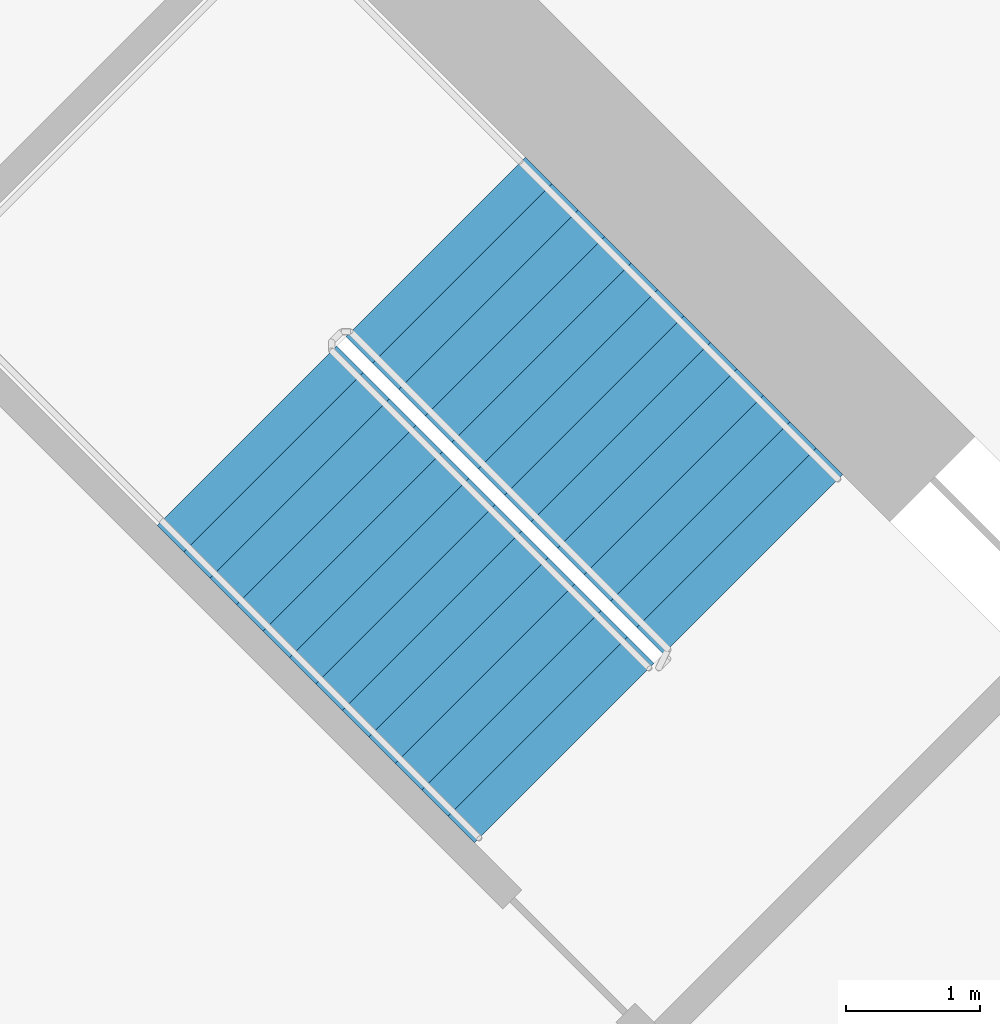
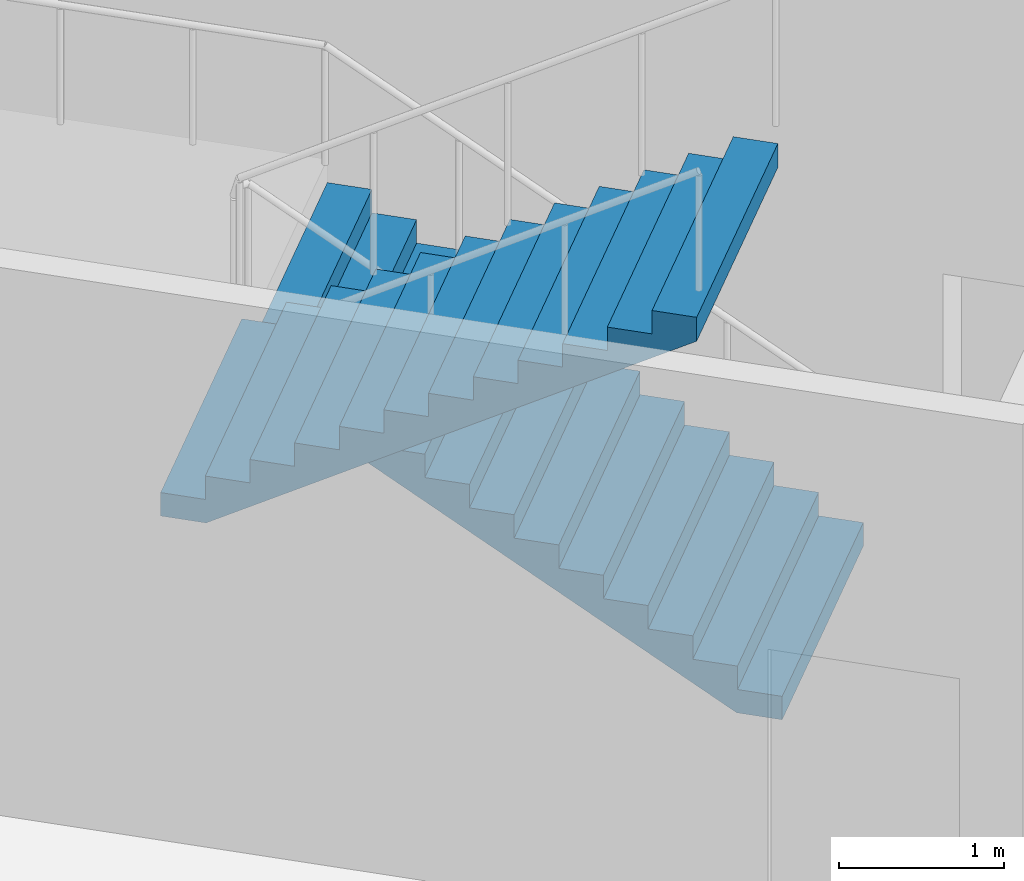
# One storey, part 14 of 21: 2 stair flights, 1 element without a shape of its own.
"""IFC4 building model written with IfcOpenShell, lengths in metres."""

from ifc_helpers import new_model, si_unit, direction, frame, origin, place, context, subcontext, project, spatial, triangles, material, type_object, element, aggregate, save


model = new_model("IFC4")

# Units and contexts
model_context = context("Model", 3, precision=1e-05, world=origin(), true_north=direction((0.0, 1.0)))
body_context = subcontext(model_context, "Body", "Model", "MODEL_VIEW")
ifc_project = project(units=[si_unit("LENGTHUNIT", "METRE"), si_unit("AREAUNIT", "SQUARE_METRE"), si_unit("VOLUMEUNIT", "CUBIC_METRE"), si_unit("PLANEANGLEUNIT", "RADIAN"), si_unit("MASSUNIT", "GRAM", prefix="KILO")], contexts=[model_context])

# Site, building, storey
site_placement = place(None, origin())
site = spatial("IfcSite", under=ifc_project, at=site_placement, CompositionType="ELEMENT")
building_placement = place(site_placement, origin())
building = spatial("IfcBuilding", under=site, at=building_placement, Name="Verdalira Terraces Hotel", CompositionType="ELEMENT")
storey_placement = place(building_placement, frame((0.0, 0.0, 19.0)))
storey = spatial("IfcBuildingStorey", under=building, at=storey_placement, Name="L03", CompositionType="ELEMENT", Elevation=19.0)

# Stair, stair flights
ifc_material_1 = material(Name="Concrete C40", Category="concrete")
stair_type = type_object("IfcStairType", Name="Core stair 26 risers 1900 mm wide", PredefinedType="HALF_TURN_STAIR", material=ifc_material_1)
stair_placement = place(storey_placement, origin())
stair = element("IfcStair", 1, at=stair_placement, inside=storey, type_object=stair_type, Name="L03 Exit stair ST1", PredefinedType="HALF_TURN_STAIR")
ifc_material_2 = material(Name="Concrete C40", Category="concrete")
stair_flight_type = type_object("IfcStairFlightType", Name="Core stair flight 26 risers 1900 mm wide", PredefinedType="STRAIGHT", material=ifc_material_2)
stair_flight_1_placement = place(storey_placement, frame((10.005615, 7.177246, 0.0), z_axis=(0.0, 0.0, 1.0), x_axis=(-0.707106781, 0.707106781, 0.0)))
stair_flight_1 = element("IfcStairFlight", 2, at=stair_flight_1_placement, type_object=stair_flight_type, Name="ST1 flight 1", NumberOfRisers=13, NumberOfTreads=12, PredefinedType="STRAIGHT", RiserHeight=0.173076923, TreadLength=0.28, context=body_context, shape_type="Tessellation", body=[
    triangles([(0.0, 0.949951, 0.0), (0.285156, 0.949951, 0.0), (3.360107, 0.949951, 1.900635), (0.0, -0.949951, 0.0), (0.285156, -0.949951, 0.0), (3.360107, -0.949951, 1.900635), (3.360107, 0.949951, 2.076904), (3.080078, 0.949951, 2.076904), (3.360107, -0.949951, 2.076904), (3.080078, -0.949951, 2.076904), (3.080078, 0.949951, 1.903809), (3.080078, -0.949951, 1.903809), (2.800049, 0.949951, 1.903809), (2.800049, -0.949951, 1.903809), (2.800049, 0.949951, 1.730713), (2.800049, -0.949951, 1.730713), (2.52002, 0.949951, 1.730713), (2.52002, 0.949951, 1.557617), (2.52002, -0.949951, 1.730713), (2.52002, -0.949951, 1.557617), (2.23999, 0.949951, 1.557617), (2.23999, 0.949951, 1.384521), (2.23999, -0.949951, 1.557617), (2.23999, -0.949951, 1.384521), (1.959961, 0.949951, 1.384521), (1.959961, 0.949951, 1.211426), (1.959961, -0.949951, 1.384521), (1.959961, -0.949951, 1.211426), (1.679932, 0.949951, 1.211426), (1.679932, 0.949951, 1.038574), (1.679932, -0.949951, 1.211426), (1.679932, -0.949951, 1.038574), (1.399902, 0.949951, 1.038574), (1.399902, 0.949951, 0.865479), (1.399902, -0.949951, 1.038574), (1.399902, -0.949951, 0.865479), (1.120117, 0.949951, 0.865479), (1.120117, 0.949951, 0.692383), (1.120117, -0.949951, 0.865479), (1.120117, -0.949951, 0.692383), (0.840088, 0.949951, 0.692383), (0.840088, 0.949951, 0.519287), (0.840088, -0.949951, 0.692383), (0.840088, -0.949951, 0.519287), (0.560059, 0.949951, 0.519287), (0.560059, 0.949951, 0.346191), (0.560059, -0.949951, 0.519287), (0.560059, -0.949951, 0.346191), (0.280029, 0.949951, 0.346191), (0.280029, 0.949951, 0.173096), (0.280029, -0.949951, 0.346191), (0.280029, -0.949951, 0.173096), (0.0, 0.949951, 0.173096), (0.0, -0.949951, 0.173096), (0.0, -0.890579, 0.0), (0.0, -0.890579, 0.173096), (0.0, -0.831207, 0.0), (0.0, -0.831207, 0.173096), (0.0, -0.771835, 0.0), (0.0, -0.771835, 0.173096), (0.0, -0.712463, 0.0), (0.0, -0.712463, 0.173096), (0.0, -0.653091, 0.0), (0.0, -0.653091, 0.173096), (0.0, -0.593719, 0.0), (0.0, -0.593719, 0.173096), (0.0, -0.534348, 0.0), (0.0, -0.534348, 0.173096), (0.0, -0.474976, 0.0), (0.0, -0.474976, 0.173096), (0.0, -0.415604, 0.0), (0.0, -0.415604, 0.173096), (0.0, -0.356232, 0.0), (0.0, -0.356232, 0.173096), (0.0, -0.29686, 0.0), (0.0, -0.29686, 0.173096), (0.0, -0.237488, 0.0), (0.0, -0.237488, 0.173096), (0.0, -0.178116, 0.0), (0.0, -0.178116, 0.173096), (0.0, -0.118744, 0.0), (0.0, -0.118744, 0.173096), (0.0, -0.059372, 0.0), (0.0, -0.059372, 0.173096), (0.0, 0.0, 0.0), (0.0, 0.0, 0.173096), (0.0, 0.059372, 0.0), (0.0, 0.059372, 0.173096), (0.0, 0.118744, 0.0), (0.0, 0.118744, 0.173096), (0.0, 0.178116, 0.0), (0.0, 0.178116, 0.173096), (0.0, 0.237488, 0.0), (0.0, 0.237488, 0.173096), (0.0, 0.29686, 0.0), (0.0, 0.29686, 0.173096), (0.0, 0.356232, 0.0), (0.0, 0.356232, 0.173096), (0.0, 0.415604, 0.0), (0.0, 0.415604, 0.173096), (0.0, 0.474976, 0.0), (0.0, 0.474976, 0.173096), (0.0, 0.534348, 0.0), (0.0, 0.534348, 0.173096), (0.0, 0.593719, 0.0), (0.0, 0.593719, 0.173096), (0.0, 0.653091, 0.0), (0.0, 0.653091, 0.173096), (0.0, 0.712463, 0.0), (0.0, 0.712463, 0.173096), (0.0, 0.771835, 0.0), (0.0, 0.771835, 0.173096), (0.0, 0.831207, 0.0), (0.0, 0.831207, 0.173096), (0.0, 0.890579, 0.0), (0.0, 0.890579, 0.173096), (3.360107, -0.890579, 2.076904), (3.360107, -0.831207, 2.076904), (3.360107, -0.771835, 2.076904), (3.360107, -0.712463, 2.076904), (3.360107, -0.653091, 2.076904), (3.360107, -0.593719, 2.076904), (3.360107, -0.534348, 2.076904), (3.360107, -0.474976, 2.076904), (3.360107, -0.415604, 2.076904), (3.360107, -0.356232, 2.076904), (3.360107, -0.29686, 2.076904), (3.360107, -0.237488, 2.076904), (3.360107, -0.178116, 2.076904), (3.360107, -0.118744, 2.076904), (3.360107, -0.059372, 2.076904), (3.360107, 0.0, 2.076904), (3.360107, 0.059372, 2.076904), (3.360107, 0.118744, 2.076904), (3.360107, 0.178116, 2.076904), (3.360107, 0.237488, 2.076904), (3.360107, 0.29686, 2.076904), (3.360107, 0.356232, 2.076904), (3.360107, 0.415604, 2.076904), (3.360107, 0.474976, 2.076904), (3.360107, 0.534348, 2.076904), (3.360107, 0.593719, 2.076904), (3.360107, 0.653091, 2.076904), (3.360107, 0.712463, 2.076904), (3.360107, 0.771835, 2.076904), (3.360107, 0.831207, 2.076904), (3.360107, 0.890579, 2.076904), (3.360107, -0.890579, 1.900635), (3.360107, -0.831207, 1.900635), (3.360107, -0.771835, 1.900635), (3.360107, -0.712463, 1.900635), (3.360107, -0.653091, 1.900635), (3.360107, -0.593719, 1.900635), (3.360107, -0.534348, 1.900635), (3.360107, -0.474976, 1.900635), (3.360107, -0.415604, 1.900635), (3.360107, -0.356232, 1.900635), (3.360107, -0.29686, 1.900635), (3.360107, -0.237488, 1.900635), (3.360107, -0.178116, 1.900635), (3.360107, -0.118744, 1.900635), (3.360107, -0.059372, 1.900635), (3.360107, 0.0, 1.900635), (3.360107, 0.059372, 1.900635), (3.360107, 0.118744, 1.900635), (3.360107, 0.178116, 1.900635), (3.360107, 0.237488, 1.900635), (3.360107, 0.29686, 1.900635), (3.360107, 0.356232, 1.900635), (3.360107, 0.415604, 1.900635), (3.360107, 0.474976, 1.900635), (3.360107, 0.534348, 1.900635), (3.360107, 0.593719, 1.900635), (3.360107, 0.653091, 1.900635), (3.360107, 0.712463, 1.900635), (3.360107, 0.771835, 1.900635), (3.360107, 0.831207, 1.900635), (3.360107, 0.890579, 1.900635)], [[1, 3, 2], [4, 5, 6], [3, 8, 7], [6, 9, 10], [3, 11, 8], [6, 10, 12], [3, 13, 11], [6, 12, 14], [3, 15, 13], [6, 14, 16], [15, 18, 17], [16, 19, 20], [3, 18, 15], [6, 16, 20], [18, 22, 21], [20, 23, 24], [3, 22, 18], [6, 20, 24], [22, 26, 25], [24, 27, 28], [3, 26, 22], [6, 24, 28], [1, 26, 3], [4, 6, 28], [26, 30, 29], [28, 31, 32], [30, 34, 33], [32, 35, 36], [26, 34, 30], [28, 32, 36], [34, 38, 37], [36, 39, 40], [26, 38, 34], [28, 36, 40], [38, 42, 41], [40, 43, 44], [26, 42, 38], [28, 40, 44], [42, 46, 45], [44, 47, 48], [26, 46, 42], [28, 44, 48], [46, 50, 49], [48, 51, 52], [26, 50, 46], [28, 48, 52], [1, 50, 26], [4, 28, 52], [50, 1, 53], [52, 54, 4], [4, 56, 55], [4, 54, 56], [55, 58, 57], [55, 56, 58], [57, 60, 59], [57, 58, 60], [59, 62, 61], [59, 60, 62], [61, 64, 63], [61, 62, 64], [63, 66, 65], [63, 64, 66], [65, 68, 67], [65, 66, 68], [67, 70, 69], [67, 68, 70], [69, 72, 71], [69, 70, 72], [71, 74, 73], [71, 72, 74], [73, 76, 75], [73, 74, 76], [75, 78, 77], [75, 76, 78], [77, 80, 79], [77, 78, 80], [79, 82, 81], [79, 80, 82], [81, 84, 83], [81, 82, 84], [83, 86, 85], [83, 84, 86], [85, 88, 87], [85, 86, 88], [87, 90, 89], [87, 88, 90], [89, 92, 91], [89, 90, 92], [91, 94, 93], [91, 92, 94], [93, 96, 95], [93, 94, 96], [95, 98, 97], [95, 96, 98], [97, 100, 99], [97, 98, 100], [99, 102, 101], [99, 100, 102], [101, 104, 103], [101, 102, 104], [103, 106, 105], [103, 104, 106], [105, 108, 107], [105, 106, 108], [107, 110, 109], [107, 108, 110], [109, 112, 111], [109, 110, 112], [111, 114, 113], [111, 112, 114], [113, 116, 115], [113, 114, 116], [115, 53, 1], [115, 116, 53], [54, 52, 56], [56, 52, 58], [58, 52, 60], [60, 52, 62], [62, 52, 64], [64, 52, 66], [66, 52, 68], [68, 52, 70], [70, 52, 72], [72, 52, 74], [74, 52, 76], [76, 52, 78], [78, 52, 80], [80, 52, 82], [82, 52, 84], [84, 52, 86], [86, 52, 88], [88, 52, 90], [90, 52, 92], [92, 52, 94], [94, 52, 96], [96, 52, 98], [98, 52, 100], [100, 52, 102], [102, 52, 104], [104, 52, 106], [106, 52, 108], [108, 52, 110], [110, 52, 112], [112, 52, 114], [114, 52, 116], [116, 52, 53], [53, 52, 50], [52, 49, 50], [52, 51, 49], [51, 46, 49], [51, 48, 46], [48, 45, 46], [48, 47, 45], [47, 42, 45], [47, 44, 42], [44, 41, 42], [44, 43, 41], [43, 38, 41], [43, 40, 38], [40, 37, 38], [40, 39, 37], [39, 34, 37], [39, 36, 34], [36, 33, 34], [36, 35, 33], [35, 30, 33], [35, 32, 30], [32, 29, 30], [32, 31, 29], [31, 26, 29], [31, 28, 26], [28, 25, 26], [28, 27, 25], [27, 22, 25], [27, 24, 22], [24, 21, 22], [24, 23, 21], [23, 18, 21], [23, 20, 18], [20, 17, 18], [20, 19, 17], [19, 15, 17], [19, 16, 15], [16, 13, 15], [16, 14, 13], [14, 11, 13], [14, 12, 11], [12, 8, 11], [12, 10, 8], [9, 117, 10], [117, 118, 10], [118, 119, 10], [119, 120, 10], [120, 121, 10], [121, 122, 10], [122, 123, 10], [123, 124, 10], [124, 125, 10], [125, 126, 10], [126, 127, 10], [127, 128, 10], [128, 129, 10], [129, 130, 10], [130, 131, 10], [131, 132, 10], [132, 133, 10], [133, 134, 10], [134, 135, 10], [135, 136, 10], [136, 137, 10], [137, 138, 10], [138, 139, 10], [139, 140, 10], [140, 141, 10], [141, 142, 10], [142, 143, 10], [143, 144, 10], [144, 145, 10], [145, 146, 10], [146, 147, 10], [147, 7, 10], [7, 8, 10], [9, 148, 117], [9, 6, 148], [117, 149, 118], [117, 148, 149], [118, 150, 119], [118, 149, 150], [119, 151, 120], [119, 150, 151], [120, 152, 121], [120, 151, 152], [121, 153, 122], [121, 152, 153], [122, 154, 123], [122, 153, 154], [123, 155, 124], [123, 154, 155], [124, 156, 125], [124, 155, 156], [125, 157, 126], [125, 156, 157], [126, 158, 127], [126, 157, 158], [127, 159, 128], [127, 158, 159], [128, 160, 129], [128, 159, 160], [129, 161, 130], [129, 160, 161], [130, 162, 131], [130, 161, 162], [131, 163, 132], [131, 162, 163], [132, 164, 133], [132, 163, 164], [133, 165, 134], [133, 164, 165], [134, 166, 135], [134, 165, 166], [135, 167, 136], [135, 166, 167], [136, 168, 137], [136, 167, 168], [137, 169, 138], [137, 168, 169], [138, 170, 139], [138, 169, 170], [139, 171, 140], [139, 170, 171], [140, 172, 141], [140, 171, 172], [141, 173, 142], [141, 172, 173], [142, 174, 143], [142, 173, 174], [143, 175, 144], [143, 174, 175], [144, 176, 145], [144, 175, 176], [145, 177, 146], [145, 176, 177], [146, 178, 147], [146, 177, 178], [147, 3, 7], [147, 178, 3], [6, 5, 148], [148, 5, 149], [149, 5, 150], [150, 5, 151], [151, 5, 152], [152, 5, 153], [153, 5, 154], [154, 5, 155], [155, 5, 156], [156, 5, 157], [157, 5, 158], [158, 5, 159], [159, 5, 160], [160, 5, 161], [161, 5, 162], [162, 5, 163], [163, 5, 164], [164, 5, 165], [165, 5, 166], [166, 5, 167], [167, 5, 168], [168, 5, 169], [169, 5, 170], [170, 5, 171], [171, 5, 172], [172, 5, 173], [173, 5, 174], [174, 5, 175], [175, 5, 176], [176, 5, 177], [177, 5, 178], [178, 5, 3], [3, 5, 2], [4, 55, 5], [55, 57, 5], [57, 59, 5], [59, 61, 5], [61, 63, 5], [63, 65, 5], [65, 67, 5], [67, 69, 5], [69, 71, 5], [71, 73, 5], [73, 75, 5], [75, 77, 5], [77, 79, 5], [79, 81, 5], [81, 83, 5], [83, 85, 5], [85, 87, 5], [87, 89, 5], [89, 91, 5], [91, 93, 5], [93, 95, 5], [95, 97, 5], [97, 99, 5], [99, 101, 5], [101, 103, 5], [103, 105, 5], [105, 107, 5], [107, 109, 5], [109, 111, 5], [111, 113, 5], [113, 115, 5], [115, 1, 5], [1, 2, 5]], closed=True),
])
stair_flight_2_placement = place(storey_placement, frame((6.215576, 8.138916, 2.25), z_axis=(0.0, 0.0, 1.0), x_axis=(0.707106781, -0.707106781, 0.0)))
stair_flight_2 = element("IfcStairFlight", 3, at=stair_flight_2_placement, type_object=stair_flight_type, Name="ST1 flight 2", NumberOfRisers=13, NumberOfTreads=12, PredefinedType="STRAIGHT", RiserHeight=0.173076923, TreadLength=0.28, context=body_context, shape_type="Tessellation", body=[
    triangles([(0.0, 0.949951, 0.0), (0.285156, 0.949951, 0.0), (3.360107, 0.949951, 1.900635), (0.0, -0.949951, 0.0), (0.285156, -0.949951, 0.0), (3.360107, -0.949951, 1.900635), (3.360107, 0.949951, 2.076904), (3.080078, 0.949951, 2.076904), (3.360107, -0.949951, 2.076904), (3.080078, -0.949951, 2.076904), (3.080078, 0.949951, 1.903809), (3.080078, -0.949951, 1.903809), (2.800049, 0.949951, 1.903809), (2.800049, -0.949951, 1.903809), (2.800049, 0.949951, 1.730713), (2.800049, -0.949951, 1.730713), (2.52002, 0.949951, 1.730713), (2.52002, 0.949951, 1.557617), (2.52002, -0.949951, 1.730713), (2.52002, -0.949951, 1.557617), (2.23999, 0.949951, 1.557617), (2.23999, 0.949951, 1.384521), (2.23999, -0.949951, 1.557617), (2.23999, -0.949951, 1.384521), (1.959961, 0.949951, 1.384521), (1.959961, 0.949951, 1.211426), (1.959961, -0.949951, 1.384521), (1.959961, -0.949951, 1.211426), (1.679932, 0.949951, 1.211426), (1.679932, 0.949951, 1.038574), (1.679932, -0.949951, 1.211426), (1.679932, -0.949951, 1.038574), (1.399902, 0.949951, 1.038574), (1.399902, 0.949951, 0.865479), (1.399902, -0.949951, 1.038574), (1.399902, -0.949951, 0.865479), (1.120117, 0.949951, 0.865479), (1.120117, 0.949951, 0.692383), (1.120117, -0.949951, 0.865479), (1.120117, -0.949951, 0.692383), (0.840088, 0.949951, 0.692383), (0.840088, 0.949951, 0.519287), (0.840088, -0.949951, 0.692383), (0.840088, -0.949951, 0.519287), (0.560059, 0.949951, 0.519287), (0.560059, 0.949951, 0.346191), (0.560059, -0.949951, 0.519287), (0.560059, -0.949951, 0.346191), (0.280029, 0.949951, 0.346191), (0.280029, 0.949951, 0.173096), (0.280029, -0.949951, 0.346191), (0.280029, -0.949951, 0.173096), (0.0, 0.949951, 0.173096), (0.0, -0.949951, 0.173096), (0.0, -0.890579, 0.0), (0.0, -0.890579, 0.173096), (0.0, -0.831207, 0.0), (0.0, -0.831207, 0.173096), (0.0, -0.771835, 0.0), (0.0, -0.771835, 0.173096), (0.0, -0.712463, 0.0), (0.0, -0.712463, 0.173096), (0.0, -0.653091, 0.0), (0.0, -0.653091, 0.173096), (0.0, -0.593719, 0.0), (0.0, -0.593719, 0.173096), (0.0, -0.534348, 0.0), (0.0, -0.534348, 0.173096), (0.0, -0.474976, 0.0), (0.0, -0.474976, 0.173096), (0.0, -0.415604, 0.0), (0.0, -0.415604, 0.173096), (0.0, -0.356232, 0.0), (0.0, -0.356232, 0.173096), (0.0, -0.29686, 0.0), (0.0, -0.29686, 0.173096), (0.0, -0.237488, 0.0), (0.0, -0.237488, 0.173096), (0.0, -0.178116, 0.0), (0.0, -0.178116, 0.173096), (0.0, -0.118744, 0.0), (0.0, -0.118744, 0.173096), (0.0, -0.059372, 0.0), (0.0, -0.059372, 0.173096), (0.0, 0.0, 0.0), (0.0, 0.0, 0.173096), (0.0, 0.059372, 0.0), (0.0, 0.059372, 0.173096), (0.0, 0.118744, 0.0), (0.0, 0.118744, 0.173096), (0.0, 0.178116, 0.0), (0.0, 0.178116, 0.173096), (0.0, 0.237488, 0.0), (0.0, 0.237488, 0.173096), (0.0, 0.29686, 0.0), (0.0, 0.29686, 0.173096), (0.0, 0.356232, 0.0), (0.0, 0.356232, 0.173096), (0.0, 0.415604, 0.0), (0.0, 0.415604, 0.173096), (0.0, 0.474976, 0.0), (0.0, 0.474976, 0.173096), (0.0, 0.534348, 0.0), (0.0, 0.534348, 0.173096), (0.0, 0.593719, 0.0), (0.0, 0.593719, 0.173096), (0.0, 0.653091, 0.0), (0.0, 0.653091, 0.173096), (0.0, 0.712463, 0.0), (0.0, 0.712463, 0.173096), (0.0, 0.771835, 0.0), (0.0, 0.771835, 0.173096), (0.0, 0.831207, 0.0), (0.0, 0.831207, 0.173096), (0.0, 0.890579, 0.0), (0.0, 0.890579, 0.173096), (3.360107, -0.890579, 2.076904), (3.360107, -0.831207, 2.076904), (3.360107, -0.771835, 2.076904), (3.360107, -0.712463, 2.076904), (3.360107, -0.653091, 2.076904), (3.360107, -0.593719, 2.076904), (3.360107, -0.534348, 2.076904), (3.360107, -0.474976, 2.076904), (3.360107, -0.415604, 2.076904), (3.360107, -0.356232, 2.076904), (3.360107, -0.29686, 2.076904), (3.360107, -0.237488, 2.076904), (3.360107, -0.178116, 2.076904), (3.360107, -0.118744, 2.076904), (3.360107, -0.059372, 2.076904), (3.360107, 0.0, 2.076904), (3.360107, 0.059372, 2.076904), (3.360107, 0.118744, 2.076904), (3.360107, 0.178116, 2.076904), (3.360107, 0.237488, 2.076904), (3.360107, 0.29686, 2.076904), (3.360107, 0.356232, 2.076904), (3.360107, 0.415604, 2.076904), (3.360107, 0.474976, 2.076904), (3.360107, 0.534348, 2.076904), (3.360107, 0.593719, 2.076904), (3.360107, 0.653091, 2.076904), (3.360107, 0.712463, 2.076904), (3.360107, 0.771835, 2.076904), (3.360107, 0.831207, 2.076904), (3.360107, 0.890579, 2.076904), (3.360107, -0.890579, 1.900635), (3.360107, -0.831207, 1.900635), (3.360107, -0.771835, 1.900635), (3.360107, -0.712463, 1.900635), (3.360107, -0.653091, 1.900635), (3.360107, -0.593719, 1.900635), (3.360107, -0.534348, 1.900635), (3.360107, -0.474976, 1.900635), (3.360107, -0.415604, 1.900635), (3.360107, -0.356232, 1.900635), (3.360107, -0.29686, 1.900635), (3.360107, -0.237488, 1.900635), (3.360107, -0.178116, 1.900635), (3.360107, -0.118744, 1.900635), (3.360107, -0.059372, 1.900635), (3.360107, 0.0, 1.900635), (3.360107, 0.059372, 1.900635), (3.360107, 0.118744, 1.900635), (3.360107, 0.178116, 1.900635), (3.360107, 0.237488, 1.900635), (3.360107, 0.29686, 1.900635), (3.360107, 0.356232, 1.900635), (3.360107, 0.415604, 1.900635), (3.360107, 0.474976, 1.900635), (3.360107, 0.534348, 1.900635), (3.360107, 0.593719, 1.900635), (3.360107, 0.653091, 1.900635), (3.360107, 0.712463, 1.900635), (3.360107, 0.771835, 1.900635), (3.360107, 0.831207, 1.900635), (3.360107, 0.890579, 1.900635)], [[1, 3, 2], [4, 5, 6], [3, 8, 7], [6, 9, 10], [3, 11, 8], [6, 10, 12], [3, 13, 11], [6, 12, 14], [3, 15, 13], [6, 14, 16], [15, 18, 17], [16, 19, 20], [3, 18, 15], [6, 16, 20], [18, 22, 21], [20, 23, 24], [3, 22, 18], [6, 20, 24], [22, 26, 25], [24, 27, 28], [3, 26, 22], [6, 24, 28], [1, 26, 3], [4, 6, 28], [26, 30, 29], [28, 31, 32], [30, 34, 33], [32, 35, 36], [26, 34, 30], [28, 32, 36], [34, 38, 37], [36, 39, 40], [26, 38, 34], [28, 36, 40], [38, 42, 41], [40, 43, 44], [26, 42, 38], [28, 40, 44], [42, 46, 45], [44, 47, 48], [26, 46, 42], [28, 44, 48], [46, 50, 49], [48, 51, 52], [26, 50, 46], [28, 48, 52], [1, 50, 26], [4, 28, 52], [50, 1, 53], [52, 54, 4], [4, 56, 55], [4, 54, 56], [55, 58, 57], [55, 56, 58], [57, 60, 59], [57, 58, 60], [59, 62, 61], [59, 60, 62], [61, 64, 63], [61, 62, 64], [63, 66, 65], [63, 64, 66], [65, 68, 67], [65, 66, 68], [67, 70, 69], [67, 68, 70], [69, 72, 71], [69, 70, 72], [71, 74, 73], [71, 72, 74], [73, 76, 75], [73, 74, 76], [75, 78, 77], [75, 76, 78], [77, 80, 79], [77, 78, 80], [79, 82, 81], [79, 80, 82], [81, 84, 83], [81, 82, 84], [83, 86, 85], [83, 84, 86], [85, 88, 87], [85, 86, 88], [87, 90, 89], [87, 88, 90], [89, 92, 91], [89, 90, 92], [91, 94, 93], [91, 92, 94], [93, 96, 95], [93, 94, 96], [95, 98, 97], [95, 96, 98], [97, 100, 99], [97, 98, 100], [99, 102, 101], [99, 100, 102], [101, 104, 103], [101, 102, 104], [103, 106, 105], [103, 104, 106], [105, 108, 107], [105, 106, 108], [107, 110, 109], [107, 108, 110], [109, 112, 111], [109, 110, 112], [111, 114, 113], [111, 112, 114], [113, 116, 115], [113, 114, 116], [115, 53, 1], [115, 116, 53], [54, 52, 56], [56, 52, 58], [58, 52, 60], [60, 52, 62], [62, 52, 64], [64, 52, 66], [66, 52, 68], [68, 52, 70], [70, 52, 72], [72, 52, 74], [74, 52, 76], [76, 52, 78], [78, 52, 80], [80, 52, 82], [82, 52, 84], [84, 52, 86], [86, 52, 88], [88, 52, 90], [90, 52, 92], [92, 52, 94], [94, 52, 96], [96, 52, 98], [98, 52, 100], [100, 52, 102], [102, 52, 104], [104, 52, 106], [106, 52, 108], [108, 52, 110], [110, 52, 112], [112, 52, 114], [114, 52, 116], [116, 52, 53], [53, 52, 50], [52, 49, 50], [52, 51, 49], [51, 46, 49], [51, 48, 46], [48, 45, 46], [48, 47, 45], [47, 42, 45], [47, 44, 42], [44, 41, 42], [44, 43, 41], [43, 38, 41], [43, 40, 38], [40, 37, 38], [40, 39, 37], [39, 34, 37], [39, 36, 34], [36, 33, 34], [36, 35, 33], [35, 30, 33], [35, 32, 30], [32, 29, 30], [32, 31, 29], [31, 26, 29], [31, 28, 26], [28, 25, 26], [28, 27, 25], [27, 22, 25], [27, 24, 22], [24, 21, 22], [24, 23, 21], [23, 18, 21], [23, 20, 18], [20, 17, 18], [20, 19, 17], [19, 15, 17], [19, 16, 15], [16, 13, 15], [16, 14, 13], [14, 11, 13], [14, 12, 11], [12, 8, 11], [12, 10, 8], [9, 117, 10], [117, 118, 10], [118, 119, 10], [119, 120, 10], [120, 121, 10], [121, 122, 10], [122, 123, 10], [123, 124, 10], [124, 125, 10], [125, 126, 10], [126, 127, 10], [127, 128, 10], [128, 129, 10], [129, 130, 10], [130, 131, 10], [131, 132, 10], [132, 133, 10], [133, 134, 10], [134, 135, 10], [135, 136, 10], [136, 137, 10], [137, 138, 10], [138, 139, 10], [139, 140, 10], [140, 141, 10], [141, 142, 10], [142, 143, 10], [143, 144, 10], [144, 145, 10], [145, 146, 10], [146, 147, 10], [147, 7, 10], [7, 8, 10], [9, 148, 117], [9, 6, 148], [117, 149, 118], [117, 148, 149], [118, 150, 119], [118, 149, 150], [119, 151, 120], [119, 150, 151], [120, 152, 121], [120, 151, 152], [121, 153, 122], [121, 152, 153], [122, 154, 123], [122, 153, 154], [123, 155, 124], [123, 154, 155], [124, 156, 125], [124, 155, 156], [125, 157, 126], [125, 156, 157], [126, 158, 127], [126, 157, 158], [127, 159, 128], [127, 158, 159], [128, 160, 129], [128, 159, 160], [129, 161, 130], [129, 160, 161], [130, 162, 131], [130, 161, 162], [131, 163, 132], [131, 162, 163], [132, 164, 133], [132, 163, 164], [133, 165, 134], [133, 164, 165], [134, 166, 135], [134, 165, 166], [135, 167, 136], [135, 166, 167], [136, 168, 137], [136, 167, 168], [137, 169, 138], [137, 168, 169], [138, 170, 139], [138, 169, 170], [139, 171, 140], [139, 170, 171], [140, 172, 141], [140, 171, 172], [141, 173, 142], [141, 172, 173], [142, 174, 143], [142, 173, 174], [143, 175, 144], [143, 174, 175], [144, 176, 145], [144, 175, 176], [145, 177, 146], [145, 176, 177], [146, 178, 147], [146, 177, 178], [147, 3, 7], [147, 178, 3], [6, 5, 148], [148, 5, 149], [149, 5, 150], [150, 5, 151], [151, 5, 152], [152, 5, 153], [153, 5, 154], [154, 5, 155], [155, 5, 156], [156, 5, 157], [157, 5, 158], [158, 5, 159], [159, 5, 160], [160, 5, 161], [161, 5, 162], [162, 5, 163], [163, 5, 164], [164, 5, 165], [165, 5, 166], [166, 5, 167], [167, 5, 168], [168, 5, 169], [169, 5, 170], [170, 5, 171], [171, 5, 172], [172, 5, 173], [173, 5, 174], [174, 5, 175], [175, 5, 176], [176, 5, 177], [177, 5, 178], [178, 5, 3], [3, 5, 2], [4, 55, 5], [55, 57, 5], [57, 59, 5], [59, 61, 5], [61, 63, 5], [63, 65, 5], [65, 67, 5], [67, 69, 5], [69, 71, 5], [71, 73, 5], [73, 75, 5], [75, 77, 5], [77, 79, 5], [79, 81, 5], [81, 83, 5], [83, 85, 5], [85, 87, 5], [87, 89, 5], [89, 91, 5], [91, 93, 5], [93, 95, 5], [95, 97, 5], [97, 99, 5], [99, 101, 5], [101, 103, 5], [103, 105, 5], [105, 107, 5], [107, 109, 5], [109, 111, 5], [111, 113, 5], [113, 115, 5], [115, 1, 5], [1, 2, 5]], closed=True),
])
aggregate(stair, [stair_flight_1, stair_flight_2])

save(model, "model.ifc")
